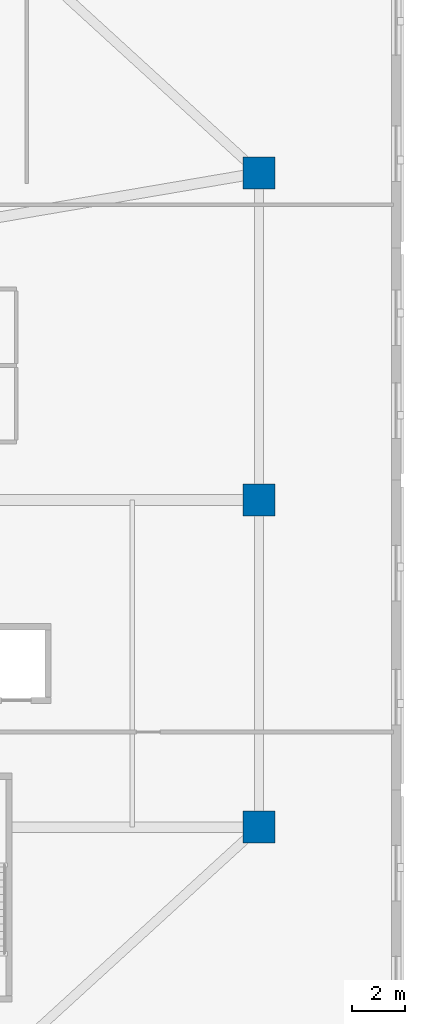
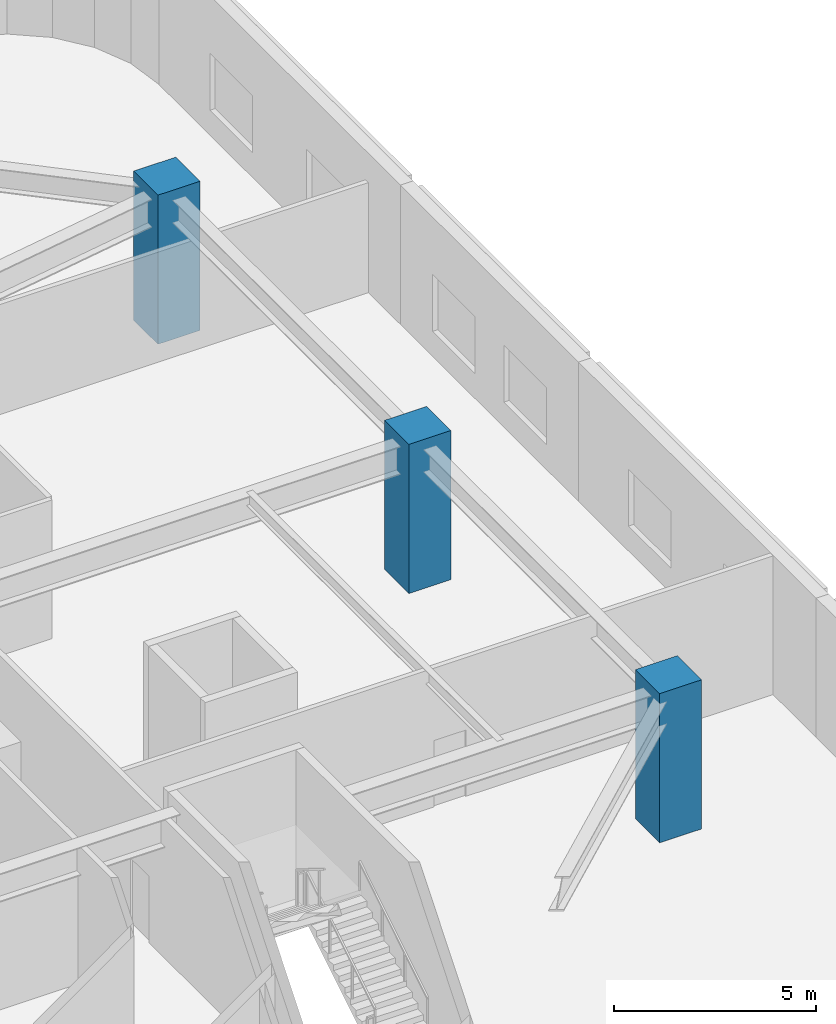
# One storey, part 2 of 25: 3 columns.
"""IFC4 building model written with IfcOpenShell, lengths in metres."""

from ifc_helpers import new_model, si_unit, direction, frame, origin, origin_2d, place, context, subcontext, project, spatial, rectangle, extrude, material, material_profile, profile_set, type_object, element, save


model = new_model("IFC4")

# Units and contexts
model_context = context("Model", 3, precision=1e-05, world=origin(), true_north=direction((0.0, 1.0)))
body_context = subcontext(model_context, "Body", "Model", "MODEL_VIEW")
ifc_project = project(units=[si_unit("LENGTHUNIT", "METRE"), si_unit("AREAUNIT", "SQUARE_METRE"), si_unit("VOLUMEUNIT", "CUBIC_METRE"), si_unit("PLANEANGLEUNIT", "RADIAN"), si_unit("MASSUNIT", "GRAM", prefix="KILO")], contexts=[model_context])

# Site, building, storey
site_placement = place(None, origin())
site = spatial("IfcSite", under=ifc_project, at=site_placement, CompositionType="ELEMENT")
building_placement = place(site_placement, origin())
building = spatial("IfcBuilding", under=site, at=building_placement, Name="Haldorwick Loom Tower", CompositionType="ELEMENT")
storey_placement = place(building_placement, frame((0.0, 0.0, 15.0)))
storey = spatial("IfcBuildingStorey", under=building, at=storey_placement, Name="L03", CompositionType="ELEMENT", Elevation=15.0)

# Columns
ifc_material = material(Name="Concrete C60 (60 MPa)", Category="concrete")
ifc_material_profile = material_profile(ifc_material, rectangle(XDim=1.199951171875, YDim=1.199951171875, at=origin_2d()), Name="RC1200X1200", Category="concrete")
ifc_profile_set = profile_set([ifc_material_profile], Name="Concrete C60 (60 MPa)")
column_type = type_object("IfcColumnType", Name="STR-COL-RC1200", PredefinedType="COLUMN", material=ifc_profile_set)
for number, where, z_axis, x_axis, name in (
    (1, (66.800048828125, 13.60009765625, 0.0), (0.0, 0.0, 1.0), (1.0, 0.0, 0.0), "L03 Podium Column PC-E1"),
    (2, (66.800048828125, 26.0, 0.0), (0.0, 0.0, 1.0), (1.0, 0.0, 0.0), "L03 Podium Column PC-E2"),
    (3, (66.800048828125, 38.39990234375, 0.0), (0.0, 0.0, 1.0), (1.0, 0.0, 0.0), "L03 Podium Column PC-E3"),
):
    element("IfcColumn", number, at=place(storey_placement, frame(where, z_axis=z_axis, x_axis=x_axis)), inside=storey, type_object=column_type, Name=name, PredefinedType="COLUMN", context=body_context, shape_type="SweptSolid", body=[
        extrude(rectangle(XDim=1.199951171875, YDim=1.199951171875, at=origin_2d()), origin(), (0.0, 0.0, 1.0), 4.5),
    ])

save(model, "model.ifc")
